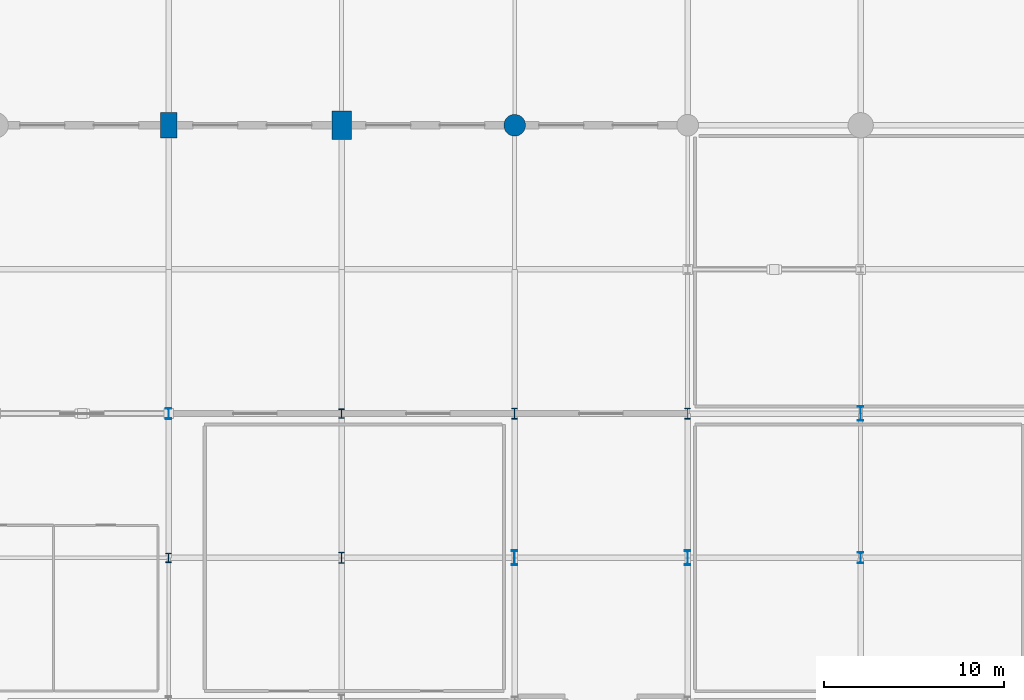
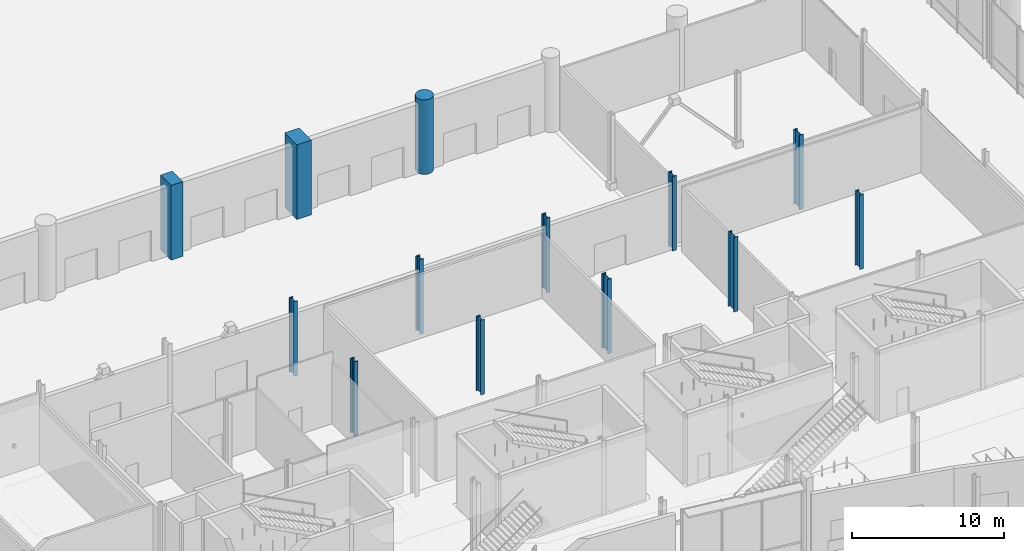
# One storey, part 12 of 124: 13 columns.
"""IFC4 building model written with IfcOpenShell, lengths in metres."""

from ifc_helpers import new_model, si_unit, direction, frame, origin, origin_2d, place, context, subcontext, project, spatial, rectangle, circle, i_section, extrude, material, material_profile, profile_set, type_object, element, save


model = new_model("IFC4")

# Units and contexts
model_context = context("Model", 3, precision=1e-05, world=origin(), true_north=direction((0.0, 1.0)))
body_context = subcontext(model_context, "Body", "Model", "MODEL_VIEW")
ifc_project = project(units=[si_unit("LENGTHUNIT", "METRE"), si_unit("AREAUNIT", "SQUARE_METRE"), si_unit("VOLUMEUNIT", "CUBIC_METRE"), si_unit("PLANEANGLEUNIT", "RADIAN"), si_unit("MASSUNIT", "GRAM", prefix="KILO")], contexts=[model_context])

# Site, building, storey
site_placement = place(None, origin())
site = spatial("IfcSite", under=ifc_project, at=site_placement, CompositionType="ELEMENT")
building_placement = place(site_placement, origin())
building = spatial("IfcBuilding", under=site, at=building_placement, Name="Danafjord Basin Convention Centre", CompositionType="ELEMENT")
storey_placement = place(building_placement, origin())
storey = spatial("IfcBuildingStorey", under=building, at=storey_placement, Name="L00", CompositionType="ELEMENT", Elevation=0.0)

# Columns
ifc_material_1 = material(Name="Steel S355", Category="steel")
ifc_material_profile_1 = material_profile(ifc_material_1, i_section(OverallWidth=0.300048828125, OverallDepth=0.60009765625, WebThickness=0.015380859375, FlangeThickness=0.030029296875, FilletRadius=0.027099609375, at=origin_2d()), Name="HEB 600")
ifc_profile_set_1 = profile_set([ifc_material_profile_1], Name="Steel S355")
column_type_1 = type_object("IfcColumnType", Name="COL-C-HEB600", PredefinedType="COLUMN", material=ifc_profile_set_1)
for number, where, z_axis, x_axis, name in (
    (1, (67.199951171875, 40.0, 0.0), (0.0, 0.0, 1.0), (1.0, 0.0, 0.0), "L00 column C-HEB600 at (67.2, 40.0)"),
    (2, (105.60009765625, 32.0, 0.0), (0.0, 0.0, 1.0), (1.0, 0.0, 0.0), "L00 column C-HEB600 at (105.6, 32.0)"),
):
    element("IfcColumn", number, at=place(storey_placement, frame(where, z_axis=z_axis, x_axis=x_axis)), inside=storey, type_object=column_type_1, Name=name, PredefinedType="COLUMN", context=body_context, shape_type="SweptSolid", body=[
        extrude(i_section(OverallWidth=0.300048828125, OverallDepth=0.60009765625, WebThickness=0.015380859375, FlangeThickness=0.030029296875, FilletRadius=0.027099609375, at=origin_2d()), origin(), (0.0, 0.0, 1.0), 6.0),
    ])
ifc_material_profile_2 = material_profile(ifc_material_1, i_section(OverallWidth=0.305908203125, OverallDepth=0.52392578125, WebThickness=0.02099609375, FlangeThickness=0.0400390625, FilletRadius=0.027099609375, at=origin_2d()), Name="HEM 500")
ifc_profile_set_2 = profile_set([ifc_material_profile_2], Name="Steel S355")
column_type_2 = type_object("IfcColumnType", Name="COL-C-HEM500", PredefinedType="COLUMN", material=ifc_profile_set_2)
for number, where, z_axis, x_axis, name in (
    (3, (67.199951171875, 32.0, 0.0), (0.0, 0.0, 1.0), (1.0, 0.0, 0.0), "L00 column C-HEM500 at (67.2, 32.0)"),
    (4, (76.800048828125, 40.0, 0.0), (0.0, 0.0, 1.0), (1.0, 0.0, 0.0), "L00 column C-HEM500 at (76.8, 40.0)"),
):
    element("IfcColumn", number, at=place(storey_placement, frame(where, z_axis=z_axis, x_axis=x_axis)), inside=storey, type_object=column_type_2, Name=name, PredefinedType="COLUMN", context=body_context, shape_type="SweptSolid", body=[
        extrude(i_section(OverallWidth=0.305908203125, OverallDepth=0.52392578125, WebThickness=0.02099609375, FlangeThickness=0.0400390625, FilletRadius=0.027099609375, at=origin_2d()), origin(), (0.0, 0.0, 1.0), 6.0),
    ])
ifc_material_profile_3 = material_profile(ifc_material_1, i_section(OverallWidth=0.304931640625, OverallDepth=0.6201171875, WebThickness=0.02099609375, FlangeThickness=0.0400390625, FilletRadius=0.027099609375, at=origin_2d()), Name="HEM 600")
ifc_profile_set_3 = profile_set([ifc_material_profile_3], Name="Steel S355")
column_type_3 = type_object("IfcColumnType", Name="COL-C-HEM600", PredefinedType="COLUMN", material=ifc_profile_set_3)
for number, where, z_axis, x_axis, name in (
    (5, (76.800048828125, 32.0, 0.0), (0.0, 0.0, 1.0), (1.0, 0.0, 0.0), "L00 column C-HEM600 at (76.8, 32.0)"),
    (6, (86.39990234375, 40.0, 0.0), (0.0, 0.0, 1.0), (1.0, 0.0, 0.0), "L00 column C-HEM600 at (86.4, 40.0)"),
    (7, (96.0, 40.0, 0.0), (0.0, 0.0, 1.0), (1.0, 0.0, 0.0), "L00 column C-HEM600 at (96.0, 40.0)"),
):
    element("IfcColumn", number, at=place(storey_placement, frame(where, z_axis=z_axis, x_axis=x_axis)), inside=storey, type_object=column_type_3, Name=name, PredefinedType="COLUMN", context=body_context, shape_type="SweptSolid", body=[
        extrude(i_section(OverallWidth=0.304931640625, OverallDepth=0.6201171875, WebThickness=0.02099609375, FlangeThickness=0.0400390625, FilletRadius=0.027099609375, at=origin_2d()), origin(), (0.0, 0.0, 1.0), 6.0),
    ])
ifc_material_profile_4 = material_profile(ifc_material_1, i_section(OverallWidth=0.302978515625, OverallDepth=0.81396484375, WebThickness=0.02099609375, FlangeThickness=0.0400390625, FilletRadius=0.030029296875, at=origin_2d()), Name="HEM 800")
ifc_profile_set_4 = profile_set([ifc_material_profile_4], Name="Steel S355")
column_type_4 = type_object("IfcColumnType", Name="COL-C-HEM800", PredefinedType="COLUMN", material=ifc_profile_set_4)
for number, where, z_axis, x_axis, name in (
    (8, (86.39990234375, 32.0, 0.0), (0.0, 0.0, 1.0), (1.0, 0.0, 0.0), "L00 column C-HEM800 at (86.4, 32.0)"),
    (9, (96.0, 32.0, 0.0), (0.0, 0.0, 1.0), (1.0, 0.0, 0.0), "L00 column C-HEM800 at (96.0, 32.0)"),
    (10, (105.60009765625, 40.0, 0.0), (0.0, 0.0, 1.0), (1.0, 0.0, 0.0), "L00 column C-HEM800 at (105.6, 40.0)"),
):
    element("IfcColumn", number, at=place(storey_placement, frame(where, z_axis=z_axis, x_axis=x_axis)), inside=storey, type_object=column_type_4, Name=name, PredefinedType="COLUMN", context=body_context, shape_type="SweptSolid", body=[
        extrude(i_section(OverallWidth=0.302978515625, OverallDepth=0.81396484375, WebThickness=0.02099609375, FlangeThickness=0.0400390625, FilletRadius=0.030029296875, at=origin_2d()), origin(), (0.0, 0.0, 1.0), 6.0),
    ])
ifc_material_2 = material(Name="Concrete C50/60", Category="concrete")
ifc_material_profile_5 = material_profile(ifc_material_2, rectangle(XDim=0.89990234375, YDim=1.39990234375, at=origin_2d()), Name="RC 1400x900")
ifc_profile_set_5 = profile_set([ifc_material_profile_5], Name="Concrete C50/60")
column_type_5 = type_object("IfcColumnType", Name="COL-C-RC1400", PredefinedType="COLUMN", material=ifc_profile_set_5)
column_1_placement = place(storey_placement, frame((67.199951171875, 56.0, 0.0), z_axis=(0.0, 0.0, 1.0), x_axis=(1.0, 0.0, 0.0)))
element("IfcColumn", 11, at=column_1_placement, inside=storey, type_object=column_type_5, Name="L00 column C-RC1400 at (67.2, 56.0)", PredefinedType="COLUMN", context=body_context, shape_type="SweptSolid", body=[
    extrude(rectangle(XDim=0.89990234375, YDim=1.39990234375, at=origin_2d()), origin(), (0.0, 0.0, 1.0), 6.0),
])
ifc_material_profile_6 = material_profile(ifc_material_2, rectangle(XDim=1.10009765625, YDim=1.60009765625, at=origin_2d()), Name="RC 1600x1100")
ifc_profile_set_6 = profile_set([ifc_material_profile_6], Name="Concrete C50/60")
column_type_6 = type_object("IfcColumnType", Name="COL-C-RC1600", PredefinedType="COLUMN", material=ifc_profile_set_6)
column_2_placement = place(storey_placement, frame((76.800048828125, 56.0, 0.0), z_axis=(0.0, 0.0, 1.0), x_axis=(1.0, 0.0, 0.0)))
element("IfcColumn", 12, at=column_2_placement, inside=storey, type_object=column_type_6, Name="L00 column C-RC1600 at (76.8, 56.0)", PredefinedType="COLUMN", context=body_context, shape_type="SweptSolid", body=[
    extrude(rectangle(XDim=1.10009765625, YDim=1.60009765625, at=origin_2d()), origin(), (0.0, 0.0, 1.0), 6.0),
])
ifc_material_profile_7 = material_profile(ifc_material_2, circle(Radius=0.60009765625, at=origin_2d()), Name="RC D1200")
ifc_profile_set_7 = profile_set([ifc_material_profile_7], Name="Concrete C50/60")
column_type_7 = type_object("IfcColumnType", Name="COL-C-RCD1200", PredefinedType="COLUMN", material=ifc_profile_set_7)
column_3_placement = place(storey_placement, frame((86.39990234375, 56.0, 0.0), z_axis=(0.0, 0.0, 1.0), x_axis=(1.0, 0.0, 0.0)))
element("IfcColumn", 13, at=column_3_placement, inside=storey, type_object=column_type_7, Name="L00 column C-RCD1200 at (86.4, 56.0)", PredefinedType="COLUMN", context=body_context, shape_type="SweptSolid", body=[
    extrude(circle(Radius=0.60009765625, at=origin_2d()), origin(), (0.0, 0.0, 1.0), 6.0),
])

save(model, "model.ifc")
